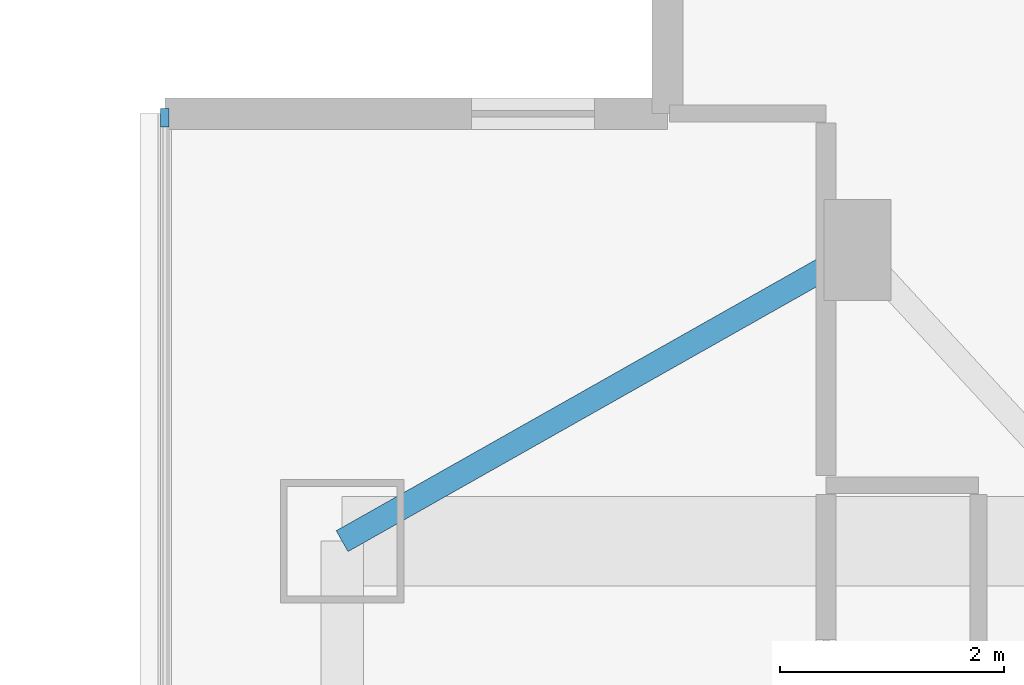
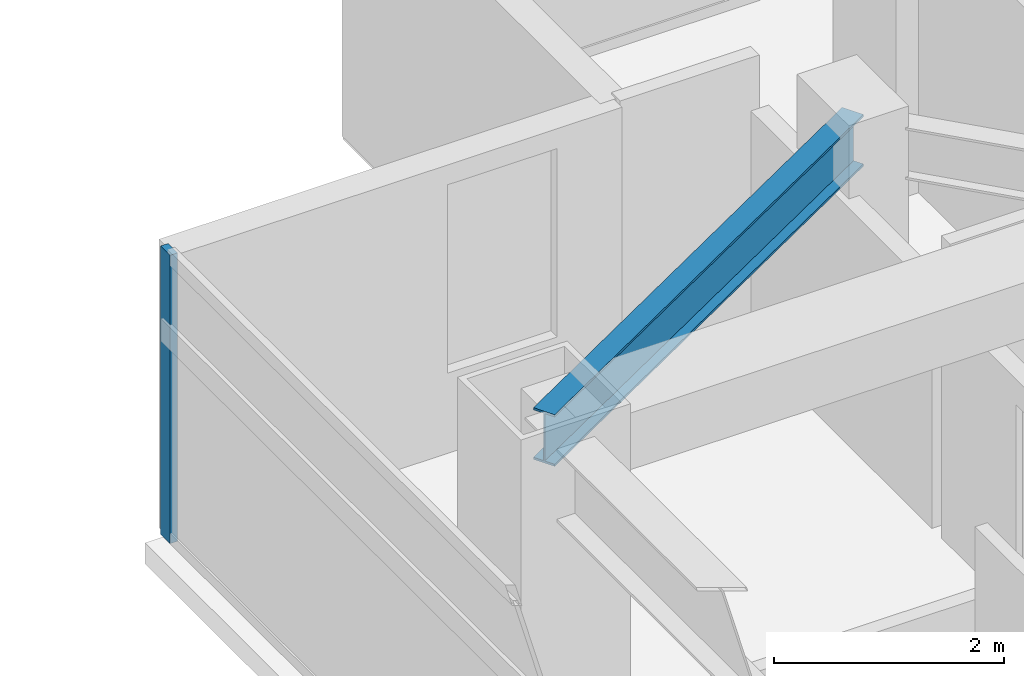
# One storey, part 7 of 26: 1 beam, 1 member, 1 element without a shape of its own.
"""IFC4 building model written with IfcOpenShell, lengths in metres."""

import ifcopenshell
import ifcopenshell.guid

model = None  # the IFC model being written
_history = None  # IfcOwnerHistory: only IFC2X3 demands one
_inside = {}  # id of a spatial element -> (the spatial element, [elements in it])
_under = {}  # id of a project, library or spatial element -> (it, [spatial elements below it])
_declared = {}  # id of a project -> (the project, [libraries it declares])
_typed = {}  # id of a type object -> (the type object, [elements of that type])
_made_of = {}  # id of a material, layer set ... -> (it, [elements and type objects made of it])


def new_model(schema):
    """Start an empty IFC model of exactly this schema.

    Asked for "IFC4X3", IfcOpenShell would pick the latest addendum, in which some entities
    have other attributes; the version numbers below select the first issue.
    IFC2X3 requires an IfcOwnerHistory on every rooted entity: one is made here for all.
    """
    global model, _history
    if schema == "IFC4X3":
        model = ifcopenshell.file(schema_version=(4, 3, 0, 0))
    else:
        model = ifcopenshell.file(schema=schema)
    _inside.clear()
    _under.clear()
    _declared.clear()
    _typed.clear()
    _made_of.clear()
    _history = None
    if model.schema == "IFC2X3":
        org = make("IfcOrganization", Name="unknown")
        user = make(
            "IfcPersonAndOrganization",
            ThePerson=make("IfcPerson", FamilyName="unknown"),
            TheOrganization=org,
        )
        app = make(
            "IfcApplication",
            ApplicationDeveloper=org,
            Version="unknown",
            ApplicationFullName="unknown",
            ApplicationIdentifier="unknown",
        )
        _history = make(
            "IfcOwnerHistory",
            OwningUser=user,
            OwningApplication=app,
            ChangeAction="ADDED",
            CreationDate=0,
        )
    return model


def make(cls, **values):
    """One entity of the class cls with the attributes given. An attribute that is None is left unset."""
    return model.create_entity(
        cls, **{name: value for name, value in values.items() if value is not None}
    )


def rooted(cls, **values):
    """An entity with a GlobalId (a new one), such as an element, a storey or a relation."""
    return make(cls, GlobalId=ifcopenshell.guid.new(), OwnerHistory=_history, **values)


def si_unit(unit_type, name, prefix=None):
    """IfcSIUnit, for example si_unit("LENGTHUNIT", "METRE", prefix="MILLI")."""
    return make("IfcSIUnit", UnitType=unit_type, Prefix=prefix, Name=name)


def assignment(units):
    """IfcUnitAssignment: the units of a project."""
    return None if units is None else make("IfcUnitAssignment", Units=units)


def point(xyz):
    """IfcCartesianPoint."""
    return None if xyz is None else make("IfcCartesianPoint", Coordinates=xyz)


def direction(xyz):
    """IfcDirection."""
    return None if xyz is None else make("IfcDirection", DirectionRatios=xyz)


def frame(location, z_axis=None, x_axis=None):
    """IfcAxis2Placement3D, a coordinate frame: its origin and axes. An axis left out is left unset."""
    return make(
        "IfcAxis2Placement3D",
        Location=point(location),
        Axis=direction(z_axis),
        RefDirection=direction(x_axis),
    )


def frame_2d(location, x_axis=None):
    """IfcAxis2Placement2D, a coordinate frame in the plane: its origin and x axis."""
    return make(
        "IfcAxis2Placement2D", Location=point(location), RefDirection=direction(x_axis)
    )


def origin():
    """The frame at (0, 0, 0) with its axes left unset."""
    return frame((0.0, 0.0, 0.0))


def origin_2d():
    """The frame at (0, 0) in the plane with its x axis left unset."""
    return frame_2d((0.0, 0.0))


def place(relative_to, where):
    """IfcLocalPlacement: puts the frame where relative to a parent placement (None: the world)."""
    return make(
        "IfcLocalPlacement", PlacementRelTo=relative_to, RelativePlacement=where
    )


def context(
    kind, dimensions, precision=None, world=None, true_north=None, identifier=None
):
    """IfcGeometricRepresentationContext, for example the 3D "Model" context."""
    return make(
        "IfcGeometricRepresentationContext",
        ContextIdentifier=identifier,
        ContextType=kind,
        CoordinateSpaceDimension=dimensions,
        Precision=precision,
        WorldCoordinateSystem=world,
        TrueNorth=true_north,
    )


def subcontext(parent, identifier, kind, view, scale=None):
    """IfcGeometricRepresentationSubContext, for example "Body" below "Model"."""
    return make(
        "IfcGeometricRepresentationSubContext",
        ContextIdentifier=identifier,
        ContextType=kind,
        ParentContext=parent,
        TargetScale=scale,
        TargetView=view,
    )


def project(units=None, contexts=None):
    """IfcProject with its units and contexts."""
    return rooted(
        "IfcProject",
        Name="project",
        RepresentationContexts=contexts,
        UnitsInContext=assignment(units),
    )


def spatial(cls, under=None, at=None, **own):
    """A site, building, storey or space (cls), placed at a placement, below another one or the project."""
    s = rooted(cls, ObjectPlacement=at, **own)
    if under is not None:
        _under.setdefault(under.id(), (under, []))[1].append(s)
    return s


def profile(cls, at=None, kind="AREA", **sizes):
    """A parametric profile (cls). Its sizes go by their IFC names, for example OverallWidth=200.0."""
    return make(cls, ProfileType=kind, Position=at, **sizes)


def rectangle(**sizes):
    """IfcRectangleProfileDef."""
    return profile("IfcRectangleProfileDef", **sizes)


def i_section(**sizes):
    """IfcIShapeProfileDef."""
    return profile("IfcIShapeProfileDef", **sizes)


def extrude(swept, where, along, depth):
    """IfcExtrudedAreaSolid: the profile swept, set in the frame where, extruded along a direction by depth."""
    return make(
        "IfcExtrudedAreaSolid",
        SweptArea=swept,
        Position=where,
        ExtrudedDirection=direction(along),
        Depth=depth,
    )


def shape(context_of_items, identifier, shape_type, items):
    """IfcShapeRepresentation: the items that make up one representation, for example the "Body"."""
    return make(
        "IfcShapeRepresentation",
        ContextOfItems=context_of_items,
        RepresentationIdentifier=identifier,
        RepresentationType=shape_type,
        Items=items,
    )


def material(Name=None, Category=None):
    """IfcMaterial."""
    return make("IfcMaterial", Name=Name, Category=Category)


def material_profile(
    of_material, cross_section, Name=None, Category=None, Priority=None
):
    """IfcMaterialProfile: a cross section and its material."""
    return make(
        "IfcMaterialProfile",
        Name=Name,
        Material=of_material,
        Profile=cross_section,
        Priority=Priority,
        Category=Category,
    )


def profile_set(profiles, Name=None, composite=None):
    """IfcMaterialProfileSet."""
    return make(
        "IfcMaterialProfileSet",
        Name=Name,
        MaterialProfiles=profiles,
        CompositeProfile=composite,
    )


def made_of(thing, what):
    """Note that an element or type object is made of a material, layer set ...; save() writes the relation."""
    if what is not None:
        _made_of.setdefault(what.id(), (what, []))[1].append(thing)
    return thing


def type_object(cls, material=None, **own):
    """A type object (cls), such as IfcWallType, which elements share."""
    return made_of(rooted(cls, **own), material)


def element(
    cls,
    number,
    at=None,
    inside=None,
    cuts=None,
    type_object=None,
    material=None,
    context=None,
    identifier="Body",
    shape_type=None,
    held_by="IfcProductDefinitionShape",
    body=None,
    shapes=None,
    **own,
):
    """One element of the class cls, such as IfcWall. Its Tag is "e" and its number.

    at: its placement. inside: the storey or other place that contains it. cuts: it is an
    opening in that element (IfcRelVoidsElement). A single representation is given by context,
    identifier, shape_type and body (its items); several are given by shapes. held_by: the class
    of the entity that holds the representations. save() writes the other relations.
    """
    e = rooted(cls, Tag="e%d" % number, ObjectPlacement=at, **own)
    if body is not None:
        shapes = [shape(context, identifier, shape_type, body)]
    if shapes is not None:
        e.Representation = make(held_by, Representations=shapes)
    if inside is not None:
        _inside.setdefault(inside.id(), (inside, []))[1].append(e)
    if cuts is not None:
        rooted(
            "IfcRelVoidsElement", RelatingBuildingElement=cuts, RelatedOpeningElement=e
        )
    if type_object is not None:
        _typed.setdefault(type_object.id(), (type_object, []))[1].append(e)
    return made_of(e, material)


def aggregate(whole, parts):
    """IfcRelAggregates: a whole, such as a stair, and the parts it consists of."""
    return rooted("IfcRelAggregates", RelatingObject=whole, RelatedObjects=parts)


def save(model, path):
    """Write the relations noted so far, then the file.

    IfcRelAggregates (storeys below a building ...), IfcRelContainedInSpatialStructure (elements
    in a storey), IfcRelDefinesByType, IfcRelAssociatesMaterial and IfcRelDeclares: one each for
    every whole, place, type object, material and project.
    """
    for whole, parts in _under.values():
        aggregate(whole, parts)
    for where, things in _inside.values():
        rooted(
            "IfcRelContainedInSpatialStructure",
            RelatedElements=things,
            RelatingStructure=where,
        )
    for kind, things in _typed.values():
        rooted("IfcRelDefinesByType", RelatedObjects=things, RelatingType=kind)
    for what, things in _made_of.values():
        rooted("IfcRelAssociatesMaterial", RelatedObjects=things, RelatingMaterial=what)
    for by, libraries in _declared.values():
        rooted("IfcRelDeclares", RelatingContext=by, RelatedDefinitions=libraries)
    model.write(path)


model = new_model("IFC4")

# Units and contexts
model_context = context("Model", 3, precision=1e-05, world=origin(), true_north=direction((0.0, 1.0)))
body_context = subcontext(model_context, "Body", "Model", "MODEL_VIEW")
ifc_project = project(units=[si_unit("LENGTHUNIT", "METRE"), si_unit("AREAUNIT", "SQUARE_METRE"), si_unit("VOLUMEUNIT", "CUBIC_METRE"), si_unit("PLANEANGLEUNIT", "RADIAN"), si_unit("MASSUNIT", "GRAM", prefix="KILO")], contexts=[model_context])

# Site, building, storey
site_placement = place(None, origin())
site = spatial("IfcSite", under=ifc_project, at=site_placement, CompositionType="ELEMENT")
building_placement = place(site_placement, origin())
building = spatial("IfcBuilding", under=site, at=building_placement, Name="Mirazonda Arch Towers", CompositionType="ELEMENT")
storey_placement = place(building_placement, frame((0.0, 0.0, 121.39990234375)))
storey = spatial("IfcBuildingStorey", under=building, at=storey_placement, Name="L34", CompositionType="ELEMENT", Elevation=121.39990234375)

# Beam
ifc_material_1 = material(Name="Steel ASTM A992 Grade 50", Category="steel")
ifc_material_profile_1 = material_profile(ifc_material_1, i_section(OverallWidth=0.214111328125, OverallDepth=0.549072265625, WebThickness=0.0146484375, FlangeThickness=0.023681640625, at=origin_2d()), Name="W21X93")
ifc_profile_set_1 = profile_set([ifc_material_profile_1], Name="Steel ASTM A992 Grade 50")
beam_type = type_object("IfcBeamType", Name="BM-INT-W21X93", PredefinedType="BEAM", material=ifc_profile_set_1)
beam_placement = place(storey_placement, frame((65.60009765625, 37.800048828125, 2.8056640625), z_axis=(-0.870559396632, -0.492063346467, 0.0), x_axis=(0.492063346467, -0.870559396632, 0.0)))
element("IfcBeam", 1, at=beam_placement, inside=storey, type_object=beam_type, Name="L34 Floor Beam BM-T2-L34-PL-NW2", PredefinedType="BEAM", context=body_context, shape_type="SweptSolid", body=[
    extrude(i_section(OverallWidth=0.214111328125, OverallDepth=0.549072265625, WebThickness=0.0146484375, FlangeThickness=0.023681640625, at=origin_2d()), origin(), (0.0, 0.0, 1.0), 5.2841796875),
])

# Curtain wall, member
ifc_material_2 = material(Name="Anodised Aluminium and Low-E Glass", Category="aluminium")
curtain_wall_type = type_object("IfcCurtainWallType", Name="CW-HTL-UNIT", PredefinedType="NOTDEFINED", material=ifc_material_2)
curtain_wall_placement = place(storey_placement, origin())
curtain_wall = element("IfcCurtainWall", 2, at=curtain_wall_placement, inside=storey, type_object=curtain_wall_type, Name="L34 T2 W Facade CW-L34-T2-W", PredefinedType="NOTDEFINED")
ifc_material_3 = material(Name="Anodised Aluminium Alloy", Category="aluminium")
ifc_material_profile_2 = material_profile(ifc_material_3, rectangle(XDim=0.074951171875, YDim=0.1650390625, at=origin_2d()), Name="ALU-MULL-75x165")
ifc_profile_set_2 = profile_set([ifc_material_profile_2], Name="Anodised Aluminium Alloy")
member_type = type_object("IfcMemberType", Name="MULL-CW-HTL-UNIT", PredefinedType="MULLION", material=ifc_profile_set_2)
member_placement = place(storey_placement, frame((59.4169921875, 38.978271484375, 0.0), z_axis=(0.0, 0.0, 1.0), x_axis=(1.0, 0.0, 0.0)))
member = element("IfcMember", 3, at=member_placement, type_object=member_type, Name="CW-112 mullion 1", PredefinedType="MULLION", context=body_context, shape_type="SweptSolid", body=[
    extrude(rectangle(XDim=0.074951171875, YDim=0.1650390625, at=origin_2d()), origin(), (0.0, 0.0, 1.0), 3.06005859375),
])
aggregate(curtain_wall, [member])

save(model, "model.ifc")
